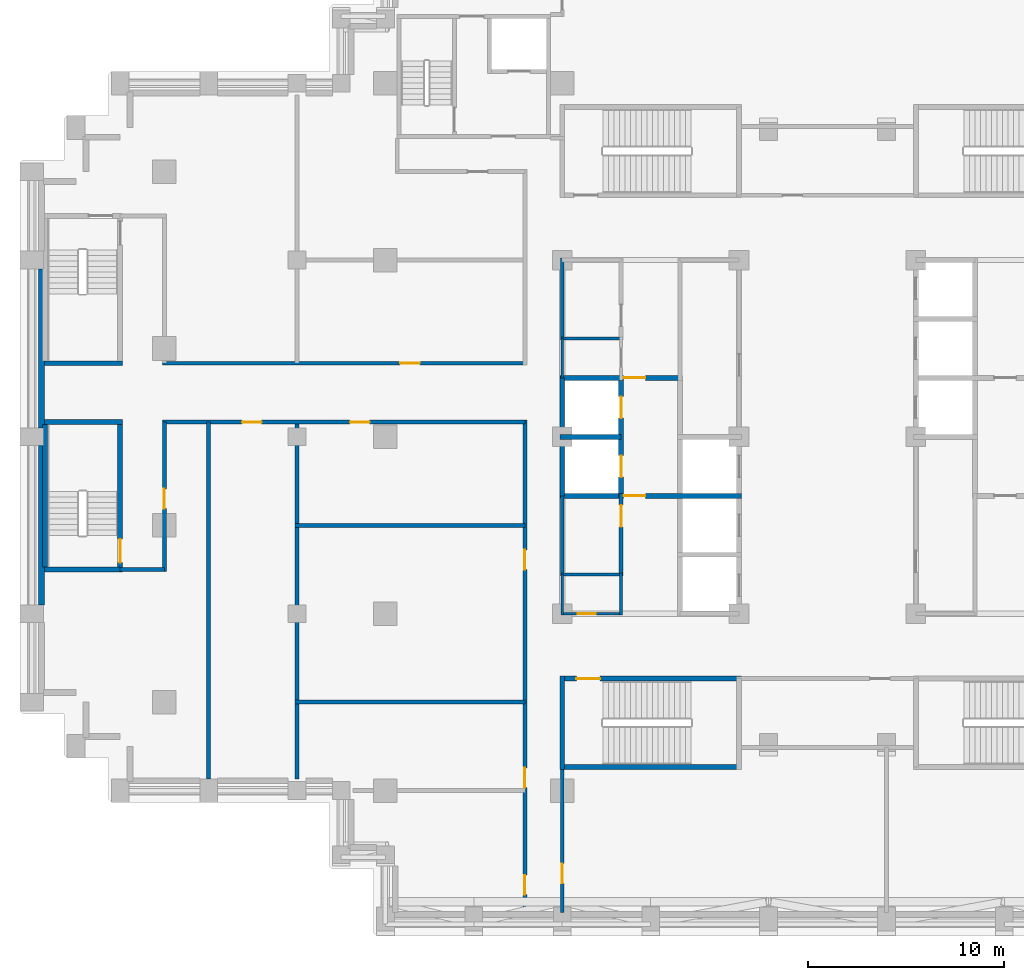
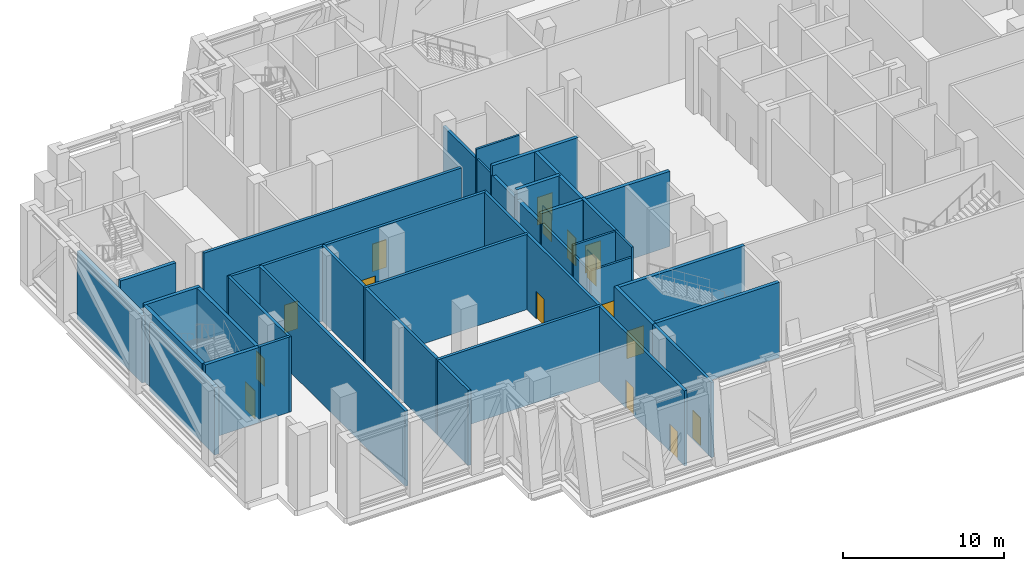
# One storey, part 5 of 14: 34 walls, 16 doors, 16 openings.
"""IFC4 building model written with IfcOpenShell, lengths in metres."""

from ifc_helpers import new_model, si_unit, direction, frame, frame_2d, origin, place, context, subcontext, project, spatial, rectangle, extrude, material, layer, layer_set, type_object, element, fill, save


model = new_model("IFC4")

# Units and contexts
model_context = context("Model", 3, precision=1e-05, world=origin(), true_north=direction((0.0, 1.0)))
body_context = subcontext(model_context, "Body", "Model", "MODEL_VIEW")
ifc_project = project(units=[si_unit("LENGTHUNIT", "METRE"), si_unit("AREAUNIT", "SQUARE_METRE"), si_unit("VOLUMEUNIT", "CUBIC_METRE"), si_unit("PLANEANGLEUNIT", "RADIAN"), si_unit("MASSUNIT", "GRAM", prefix="KILO")], contexts=[model_context])

# Site, building, storey
site_placement = place(None, origin())
site = spatial("IfcSite", under=ifc_project, at=site_placement, CompositionType="ELEMENT")
building_placement = place(site_placement, origin())
building = spatial("IfcBuilding", under=site, at=building_placement, Name="Corbelhall Arena Tower", CompositionType="ELEMENT")
storey_placement = place(building_placement, frame((0.0, 0.0, 120.0)))
storey = spatial("IfcBuildingStorey", under=building, at=storey_placement, Name="L22", CompositionType="ELEMENT", Elevation=120.0)

# Walls
ifc_material_1 = material(Name="Precast concrete C40/50 with granite facing", Category="masonry")
ifc_layer_1 = layer(ifc_material_1, 0.300048828125)
ifc_layer_set_1 = layer_set([ifc_layer_1], Name="EV-IW1 Infill panel 300")
wall_type_1 = type_object("IfcWallType", Name="EV-IW1 Infill panel 300", PredefinedType="SOLIDWALL", material=ifc_layer_set_1)
for number, where, z_axis, x_axis, name in (
    (1, (-40.0, 8.550048828125, 0.0), (0.0, 0.0, 1.0), (0.0, -1.0, 0.0), "Infill panel IW1"),
    (2, (-40.0, -0.449951171875, 0.0), (0.0, 0.0, 1.0), (0.0, -1.0, 0.0), "Infill panel IW1"),
):
    element("IfcWall", number, at=place(storey_placement, frame(where, z_axis=z_axis, x_axis=x_axis)), inside=storey, type_object=wall_type_1, Name=name, PredefinedType="SOLIDWALL", context=body_context, shape_type="SweptSolid", body=[
        extrude(rectangle(XDim=8.10009765625, YDim=0.300048828125, at=frame_2d((4.050048828125, 0.0))), origin(), (0.0, 0.0, 1.0), 5.10009765625),
    ])

# Wall, opening, door
ifc_material_2 = material(Name="Gypsum board on steel stud, acoustic", Category="steel")
ifc_layer_2 = layer(ifc_material_2, 0.199951171875)
ifc_layer_set_2 = layer_set([ifc_layer_2], Name="IN-W-DM200")
wall_type_2 = type_object("IfcWallType", Name="IN-W-DM200", PredefinedType="PARTITIONING", material=ifc_layer_set_2)
wall_1_placement = place(storey_placement, frame((-33.85009765625, 3.75, 0.0), z_axis=(0.0, 0.0, 1.0), x_axis=(1.0, 0.0, 0.0)))
wall_1 = element("IfcWall", 3, at=wall_1_placement, inside=storey, type_object=wall_type_2, Name="Partition 002", PredefinedType="PARTITIONING", context=body_context, shape_type="SweptSolid", body=[
    extrude(rectangle(XDim=18.4501953125, YDim=0.199951171875, at=frame_2d((9.22509765625, 0.0))), origin(), (0.0, 0.0, 1.0), 5.699951171875),
])
opening_1_placement = place(wall_1_placement, frame((12.10009765625, 0.0, 0.0)))
opening_1 = element("IfcOpeningElement", 4, at=opening_1_placement, cuts=wall_1, Name="Opening 26027", PredefinedType="OPENING", context=body_context, shape_type="SweptSolid", body=[
    extrude(rectangle(XDim=1.0, YDim=2.10009765625, at=frame_2d((0.5, 1.050048828125))), frame((0.0, 0.10009765625, 0.0), z_axis=(0.0, -1.0, 0.0), x_axis=(1.0, 0.0, 0.0)), (0.0, 0.0, 1.0), 0.199951171875),
])
ifc_material_3 = material(Name="Steel door set", Category="steel")
door_type_1 = type_object("IfcDoorType", Name="IN-D-SW100", OperationType="NOTDEFINED", PredefinedType="DOOR", material=ifc_material_3)
door_1_placement = place(opening_1_placement, origin())
door_1 = element("IfcDoor", 5, at=door_1_placement, inside=storey, type_object=door_type_1, Name="Door 027", OperationType="SINGLE_SWING_RIGHT", OverallHeight=2.10009765625, OverallWidth=1.0, PredefinedType="DOOR", context=body_context, shape_type="SweptSolid", body=[
    extrude(rectangle(XDim=1.0, YDim=2.10009765625, at=frame_2d((0.5, 1.050048828125))), frame((0.0, 0.02490234375, 0.0), z_axis=(0.0, -1.0, 0.0), x_axis=(1.0, 0.0, 0.0)), (0.0, 0.0, 1.0), 0.050048828125),
])
fill(opening_1, door_1)

# Wall
wall_2_placement = place(storey_placement, frame((-33.75, -6.75, 0.0), z_axis=(0.0, 0.0, 1.0), x_axis=(-1.0, 0.0, 0.0)))
element("IfcWall", 6, at=wall_2_placement, inside=storey, type_object=wall_type_2, Name="Partition 003", PredefinedType="PARTITIONING", context=body_context, shape_type="SweptSolid", body=[
    extrude(rectangle(XDim=2.25, YDim=0.199951171875, at=frame_2d((1.125, 0.0))), origin(), (0.0, 0.0, 1.0), 5.699951171875),
])

# Wall, opening, door
wall_3_placement = place(storey_placement, frame((-33.75, 0.75, 0.0), z_axis=(0.0, 0.0, 1.0), x_axis=(0.0, -1.0, 0.0)))
wall_3 = element("IfcWall", 7, at=wall_3_placement, inside=storey, type_object=wall_type_2, Name="Partition 004", PredefinedType="PARTITIONING", context=body_context, shape_type="SweptSolid", body=[
    extrude(rectangle(XDim=7.60009765625, YDim=0.199951171875, at=frame_2d((3.800048828125, 0.0))), origin(), (0.0, 0.0, 1.0), 5.699951171875),
])
opening_2_placement = place(wall_3_placement, frame((3.39990234375, 0.0, 0.0)))
opening_2 = element("IfcOpeningElement", 8, at=opening_2_placement, cuts=wall_3, Name="Opening 26040", PredefinedType="OPENING", context=body_context, shape_type="SweptSolid", body=[
    extrude(rectangle(XDim=1.0, YDim=2.10009765625, at=frame_2d((0.5, 1.050048828125))), frame((0.0, 0.10009765625, 0.0), z_axis=(0.0, -1.0, 0.0), x_axis=(1.0, 0.0, 0.0)), (0.0, 0.0, 1.0), 0.199951171875),
])
door_2_placement = place(opening_2_placement, origin())
door_2 = element("IfcDoor", 9, at=door_2_placement, inside=storey, type_object=door_type_1, Name="Door 040", OperationType="SINGLE_SWING_LEFT", OverallHeight=2.10009765625, OverallWidth=1.0, PredefinedType="DOOR", context=body_context, shape_type="SweptSolid", body=[
    extrude(rectangle(XDim=1.0, YDim=2.10009765625, at=frame_2d((0.5, 1.050048828125))), frame((0.0, 0.02490234375, 0.0), z_axis=(0.0, -1.0, 0.0), x_axis=(1.0, 0.0, 0.0)), (0.0, 0.0, 1.0), 0.050048828125),
])
fill(opening_2, door_2)

# Wall
wall_4_placement = place(storey_placement, frame((-31.5, 0.75, 0.0), z_axis=(0.0, 0.0, 1.0), x_axis=(0.0, -1.0, 0.0)))
element("IfcWall", 10, at=wall_4_placement, inside=storey, type_object=wall_type_2, Name="Partition 006", PredefinedType="PARTITIONING", context=body_context, shape_type="SweptSolid", body=[
    extrude(rectangle(XDim=18.14990234375, YDim=0.199951171875, at=frame_2d((9.074951171875, 0.0))), origin(), (0.0, 0.0, 1.0), 5.699951171875),
])

# Wall, openings, doors
wall_5_placement = place(storey_placement, frame((-15.39990234375, 0.75, 0.0), z_axis=(0.0, 0.0, 1.0), x_axis=(-1.0, 0.0, 0.0)))
wall_5 = element("IfcWall", 11, at=wall_5_placement, inside=storey, type_object=wall_type_2, Name="Partition 007", PredefinedType="PARTITIONING", context=body_context, shape_type="SweptSolid", body=[
    extrude(rectangle(XDim=18.4501953125, YDim=0.199951171875, at=frame_2d((9.22509765625, 0.0))), origin(), (0.0, 0.0, 1.0), 5.699951171875),
])
opening_3_placement = place(wall_5_placement, frame((7.89990234375, 0.0, 0.0)))
opening_3 = element("IfcOpeningElement", 12, at=opening_3_placement, cuts=wall_5, Name="Opening 26032", PredefinedType="OPENING", context=body_context, shape_type="SweptSolid", body=[
    extrude(rectangle(XDim=1.0, YDim=2.10009765625, at=frame_2d((0.5, 1.050048828125))), frame((0.0, 0.10009765625, 0.0), z_axis=(0.0, -1.0, 0.0), x_axis=(1.0, 0.0, 0.0)), (0.0, 0.0, 1.0), 0.199951171875),
])
opening_4_placement = place(wall_5_placement, frame((13.39990234375, 0.0, 0.0)))
opening_4 = element("IfcOpeningElement", 13, at=opening_4_placement, cuts=wall_5, Name="Opening 26041", PredefinedType="OPENING", context=body_context, shape_type="SweptSolid", body=[
    extrude(rectangle(XDim=1.0, YDim=2.10009765625, at=frame_2d((0.5, 1.050048828125))), frame((0.0, 0.10009765625, 0.0), z_axis=(0.0, -1.0, 0.0), x_axis=(1.0, 0.0, 0.0)), (0.0, 0.0, 1.0), 0.199951171875),
])
door_3_placement = place(opening_3_placement, origin())
door_3 = element("IfcDoor", 14, at=door_3_placement, inside=storey, type_object=door_type_1, Name="Door 032", OperationType="SINGLE_SWING_LEFT", OverallHeight=2.10009765625, OverallWidth=1.0, PredefinedType="DOOR", context=body_context, shape_type="SweptSolid", body=[
    extrude(rectangle(XDim=1.0, YDim=2.10009765625, at=frame_2d((0.5, 1.050048828125))), frame((0.0, 0.02490234375, 0.0), z_axis=(0.0, -1.0, 0.0), x_axis=(1.0, 0.0, 0.0)), (0.0, 0.0, 1.0), 0.050048828125),
])
fill(opening_3, door_3)
door_4_placement = place(opening_4_placement, origin())
door_4 = element("IfcDoor", 15, at=door_4_placement, inside=storey, type_object=door_type_1, Name="Door 041", OperationType="SINGLE_SWING_RIGHT", OverallHeight=2.10009765625, OverallWidth=1.0, PredefinedType="DOOR", context=body_context, shape_type="SweptSolid", body=[
    extrude(rectangle(XDim=1.0, YDim=2.10009765625, at=frame_2d((0.5, 1.050048828125))), frame((0.0, 0.02490234375, 0.0), z_axis=(0.0, -1.0, 0.0), x_axis=(1.0, 0.0, 0.0)), (0.0, 0.0, 1.0), 0.050048828125),
])
fill(opening_4, door_4)

# Walls
for number, where, z_axis, x_axis, name in (
    (16, (-27.10009765625, -13.5, 0.0), (0.0, 0.0, 1.0), (1.0, 0.0, 0.0), "Partition 008"),
    (17, (-27.10009765625, -4.5, 0.0), (0.0, 0.0, 1.0), (1.0, 0.0, 0.0), "Partition 009"),
):
    element("IfcWall", number, at=place(storey_placement, frame(where, z_axis=z_axis, x_axis=x_axis)), inside=storey, type_object=wall_type_2, Name=name, PredefinedType="PARTITIONING", context=body_context, shape_type="SweptSolid", body=[
        extrude(rectangle(XDim=11.7001953125, YDim=0.199951171875, at=frame_2d((5.85009765625, 0.0))), origin(), (0.0, 0.0, 1.0), 5.699951171875),
    ])
wall_6_placement = place(storey_placement, frame((-27.0, -17.39990234375, 0.0), z_axis=(0.0, 0.0, 1.0), x_axis=(0.0, 1.0, 0.0)))
element("IfcWall", 18, at=wall_6_placement, inside=storey, type_object=wall_type_2, Name="Partition 011", PredefinedType="PARTITIONING", context=body_context, shape_type="SweptSolid", body=[
    extrude(rectangle(XDim=18.14990234375, YDim=0.199951171875, at=frame_2d((9.074951171875, 0.0))), origin(), (0.0, 0.0, 1.0), 5.699951171875),
])

# Wall, openings, doors
wall_7_placement = place(storey_placement, frame((-15.39990234375, -24.14990234375, 0.0), z_axis=(0.0, 0.0, 1.0), x_axis=(0.0, 1.0, 0.0)))
wall_7 = element("IfcWall", 19, at=wall_7_placement, inside=storey, type_object=wall_type_2, Name="Partition 015", PredefinedType="PARTITIONING", context=body_context, shape_type="SweptSolid", body=[
    extrude(rectangle(XDim=25.0, YDim=0.199951171875, at=frame_2d((12.5, 0.0))), origin(), (0.0, 0.0, 1.0), 5.699951171875),
])
opening_5_placement = place(wall_7_placement, frame((0.85009765625, 0.0, 0.0)))
opening_5 = element("IfcOpeningElement", 20, at=opening_5_placement, cuts=wall_7, Name="Opening 26029", PredefinedType="OPENING", context=body_context, shape_type="SweptSolid", body=[
    extrude(rectangle(XDim=1.0, YDim=2.10009765625, at=frame_2d((0.5, 1.050048828125))), frame((0.0, 0.10009765625, 0.0), z_axis=(0.0, -1.0, 0.0), x_axis=(1.0, 0.0, 0.0)), (0.0, 0.0, 1.0), 0.199951171875),
])
opening_6_placement = place(wall_7_placement, frame((6.300048828125, 0.0, 0.0)))
opening_6 = element("IfcOpeningElement", 21, at=opening_6_placement, cuts=wall_7, Name="Opening 26030", PredefinedType="OPENING", context=body_context, shape_type="SweptSolid", body=[
    extrude(rectangle(XDim=1.0, YDim=2.10009765625, at=frame_2d((0.5, 1.050048828125))), frame((0.0, 0.10009765625, 0.0), z_axis=(0.0, -1.0, 0.0), x_axis=(1.0, 0.0, 0.0)), (0.0, 0.0, 1.0), 0.199951171875),
])
opening_7_placement = place(wall_7_placement, frame((17.39990234375, 0.0, 0.0)))
opening_7 = element("IfcOpeningElement", 22, at=opening_7_placement, cuts=wall_7, Name="Opening 26031", PredefinedType="OPENING", context=body_context, shape_type="SweptSolid", body=[
    extrude(rectangle(XDim=1.0, YDim=2.10009765625, at=frame_2d((0.5, 1.050048828125))), frame((0.0, 0.10009765625, 0.0), z_axis=(0.0, -1.0, 0.0), x_axis=(1.0, 0.0, 0.0)), (0.0, 0.0, 1.0), 0.199951171875),
])
door_5_placement = place(opening_5_placement, origin())
door_5 = element("IfcDoor", 23, at=door_5_placement, inside=storey, type_object=door_type_1, Name="Door 029", OperationType="SINGLE_SWING_RIGHT", OverallHeight=2.10009765625, OverallWidth=1.0, PredefinedType="DOOR", context=body_context, shape_type="SweptSolid", body=[
    extrude(rectangle(XDim=1.0, YDim=2.10009765625, at=frame_2d((0.5, 1.050048828125))), frame((0.0, 0.02490234375, 0.0), z_axis=(0.0, -1.0, 0.0), x_axis=(1.0, 0.0, 0.0)), (0.0, 0.0, 1.0), 0.050048828125),
])
fill(opening_5, door_5)
door_6_placement = place(opening_6_placement, origin())
door_6 = element("IfcDoor", 24, at=door_6_placement, inside=storey, type_object=door_type_1, Name="Door 030", OperationType="SINGLE_SWING_LEFT", OverallHeight=2.10009765625, OverallWidth=1.0, PredefinedType="DOOR", context=body_context, shape_type="SweptSolid", body=[
    extrude(rectangle(XDim=1.0, YDim=2.10009765625, at=frame_2d((0.5, 1.050048828125))), frame((0.0, 0.02490234375, 0.0), z_axis=(0.0, -1.0, 0.0), x_axis=(1.0, 0.0, 0.0)), (0.0, 0.0, 1.0), 0.050048828125),
])
fill(opening_6, door_6)
door_7_placement = place(opening_7_placement, origin())
door_7 = element("IfcDoor", 25, at=door_7_placement, inside=storey, type_object=door_type_1, Name="Door 031", OperationType="SINGLE_SWING_RIGHT", OverallHeight=2.10009765625, OverallWidth=1.0, PredefinedType="DOOR", context=body_context, shape_type="SweptSolid", body=[
    extrude(rectangle(XDim=1.0, YDim=2.10009765625, at=frame_2d((0.5, 1.050048828125))), frame((0.0, 0.02490234375, 0.0), z_axis=(0.0, -1.0, 0.0), x_axis=(1.0, 0.0, 0.0)), (0.0, 0.0, 1.0), 0.050048828125),
])
fill(opening_7, door_7)

# Wall, opening, door
wall_8_placement = place(storey_placement, frame((-13.5, -16.675048828125, 0.0), z_axis=(0.0, 0.0, 1.0), x_axis=(0.0, -1.0, 0.0)))
wall_8 = element("IfcWall", 26, at=wall_8_placement, inside=storey, type_object=wall_type_2, Name="Partition 019", PredefinedType="PARTITIONING", context=body_context, shape_type="SweptSolid", body=[
    extrude(rectangle(XDim=7.52490234375, YDim=0.199951171875, at=frame_2d((3.762451171875, 0.0))), origin(), (0.0, 0.0, 1.0), 5.699951171875),
])
opening_8_placement = place(wall_8_placement, frame((5.050048828125, 0.0, 0.0)))
opening_8 = element("IfcOpeningElement", 27, at=opening_8_placement, cuts=wall_8, Name="Opening 26025", PredefinedType="OPENING", context=body_context, shape_type="SweptSolid", body=[
    extrude(rectangle(XDim=1.0, YDim=2.10009765625, at=frame_2d((0.5, 1.050048828125))), frame((0.0, 0.10009765625, 0.0), z_axis=(0.0, -1.0, 0.0), x_axis=(1.0, 0.0, 0.0)), (0.0, 0.0, 1.0), 0.199951171875),
])
door_8_placement = place(opening_8_placement, origin())
door_8 = element("IfcDoor", 28, at=door_8_placement, inside=storey, type_object=door_type_1, Name="Door 025", OperationType="SINGLE_SWING_RIGHT", OverallHeight=2.10009765625, OverallWidth=1.0, PredefinedType="DOOR", context=body_context, shape_type="SweptSolid", body=[
    extrude(rectangle(XDim=1.0, YDim=2.10009765625, at=frame_2d((0.5, 1.050048828125))), frame((0.0, 0.02490234375, 0.0), z_axis=(0.0, -1.0, 0.0), x_axis=(1.0, 0.0, 0.0)), (0.0, 0.0, 1.0), 0.050048828125),
])
fill(opening_8, door_8)

ifc_material_4 = material(Name="Concrete block wall", Category="concrete")
ifc_layer_3 = layer(ifc_material_4, 0.199951171875)
ifc_layer_set_3 = layer_set([ifc_layer_3], Name="IN-W-RS200")
wall_type_3 = type_object("IfcWallType", Name="IN-W-RS200", PredefinedType="SOLIDWALL", material=ifc_layer_set_3)
wall_9_placement = place(storey_placement, frame((-10.5, -7.074951171875, 0.0), z_axis=(0.0, 0.0, 1.0), x_axis=(0.0, 1.0, 0.0)))
wall_9 = element("IfcWall", 29, at=wall_9_placement, inside=storey, type_object=wall_type_3, Name="Partition 045", PredefinedType="SOLIDWALL", context=body_context, shape_type="SweptSolid", body=[
    extrude(rectangle(XDim=4.199951171875, YDim=0.199951171875, at=frame_2d((2.10009765625, 0.0))), origin(), (0.0, 0.0, 1.0), 5.699951171875),
])
opening_9_placement = place(wall_9_placement, frame((2.5, 0.0, 0.0)))
opening_9 = element("IfcOpeningElement", 30, at=opening_9_placement, cuts=wall_9, Name="Opening 26005", PredefinedType="OPENING", context=body_context, shape_type="SweptSolid", body=[
    extrude(rectangle(XDim=1.10009765625, YDim=2.10009765625, at=frame_2d((0.550048828125, 1.050048828125))), frame((0.0, 0.10009765625, 0.0), z_axis=(0.0, -1.0, 0.0), x_axis=(1.0, 0.0, 0.0)), (0.0, 0.0, 1.0), 0.199951171875),
])
door_type_2 = type_object("IfcDoorType", Name="IN-D-FD110", OperationType="NOTDEFINED", PredefinedType="DOOR", material=ifc_material_3)
door_9_placement = place(opening_9_placement, origin())
door_9 = element("IfcDoor", 31, at=door_9_placement, inside=storey, type_object=door_type_2, Name="Door 005", OperationType="SINGLE_SWING_RIGHT", OverallHeight=2.10009765625, OverallWidth=1.10009765625, PredefinedType="DOOR", context=body_context, shape_type="SweptSolid", body=[
    extrude(rectangle(XDim=1.10009765625, YDim=2.10009765625, at=frame_2d((0.550048828125, 1.050048828125))), frame((0.0, 0.02490234375, 0.0), z_axis=(0.0, -1.0, 0.0), x_axis=(1.0, 0.0, 0.0)), (0.0, 0.0, 1.0), 0.050048828125),
])
fill(opening_9, door_9)

# Walls
ifc_layer_4 = layer(ifc_material_4, 0.199951171875)
ifc_layer_set_4 = layer_set([ifc_layer_4], Name="IN-W-RS200 under beam 762 mm")
wall_type_4 = type_object("IfcWallType", Name="IN-W-RS200 under beam 762 mm", PredefinedType="SOLIDWALL", material=ifc_layer_set_4)
wall_10_placement = place(storey_placement, frame((-13.5, -7.0, 0.0), z_axis=(0.0, 0.0, 1.0), x_axis=(0.0, 1.0, 0.0)))
element("IfcWall", 32, at=wall_10_placement, inside=storey, type_object=wall_type_4, Name="Partition 042", PredefinedType="SOLIDWALL", context=body_context, shape_type="SweptSolid", body=[
    extrude(rectangle(XDim=4.0, YDim=0.199951171875, at=frame_2d((2.0, 0.0))), origin(), (0.0, 0.0, 1.0), 4.93798828125),
])
wall_11_placement = place(storey_placement, frame((-13.5, 5.0, 0.0), z_axis=(0.0, 0.0, 1.0), x_axis=(0.0, 1.0, 0.0)))
element("IfcWall", 33, at=wall_11_placement, inside=storey, type_object=wall_type_4, Name="Partition 043", PredefinedType="SOLIDWALL", context=body_context, shape_type="SweptSolid", body=[
    extrude(rectangle(XDim=4.10009765625, YDim=0.199951171875, at=frame_2d((2.050048828125, 0.0))), origin(), (0.0, 0.0, 1.0), 4.93798828125),
])
ifc_material_5 = material(Name="Concrete C40/50", Category="concrete")
ifc_layer_5 = layer(ifc_material_5, 0.25)
ifc_layer_set_5 = layer_set([ifc_layer_5], Name="IN-W-SH250")
wall_type_5 = type_object("IfcWallType", Name="IN-W-SH250", PredefinedType="SOLIDWALL", material=ifc_layer_set_5)
wall_12_placement = place(storey_placement, frame((-13.625, 0.0, 0.0), z_axis=(0.0, 0.0, 1.0), x_axis=(1.0, 0.0, 0.0)))
element("IfcWall", 34, at=wall_12_placement, inside=storey, type_object=wall_type_5, Name="Shaft wall 058", PredefinedType="SOLIDWALL", context=body_context, shape_type="SweptSolid", body=[
    extrude(rectangle(XDim=3.125, YDim=0.25, at=frame_2d((1.5625, 0.0))), origin(), (0.0, 0.0, 1.0), 5.699951171875),
])

# Wall, opening, door
wall_13_placement = place(storey_placement, frame((-13.625, 3.0, 0.0), z_axis=(0.0, 0.0, 1.0), x_axis=(1.0, 0.0, 0.0)))
wall_13 = element("IfcWall", 35, at=wall_13_placement, inside=storey, type_object=wall_type_5, Name="Shaft wall 059", PredefinedType="SOLIDWALL", context=body_context, shape_type="SweptSolid", body=[
    extrude(rectangle(XDim=6.125, YDim=0.25, at=frame_2d((3.0625, 0.0))), origin(), (0.0, 0.0, 1.0), 5.699951171875),
])
opening_10_placement = place(wall_13_placement, frame((3.25, 0.0, 0.0)))
opening_10 = element("IfcOpeningElement", 36, at=opening_10_placement, cuts=wall_13, Name="Opening 26003", PredefinedType="OPENING", context=body_context, shape_type="SweptSolid", body=[
    extrude(rectangle(XDim=1.10009765625, YDim=2.10009765625, at=frame_2d((0.550048828125, 1.050048828125))), frame((0.0, 0.125, 0.0), z_axis=(0.0, -1.0, 0.0), x_axis=(1.0, 0.0, 0.0)), (0.0, 0.0, 1.0), 0.25),
])
door_10_placement = place(opening_10_placement, origin())
door_10 = element("IfcDoor", 37, at=door_10_placement, inside=storey, type_object=door_type_2, Name="Door 003", OperationType="SINGLE_SWING_RIGHT", OverallHeight=2.10009765625, OverallWidth=1.10009765625, PredefinedType="DOOR", context=body_context, shape_type="SweptSolid", body=[
    extrude(rectangle(XDim=1.10009765625, YDim=2.10009765625, at=frame_2d((0.550048828125, 1.050048828125))), frame((0.0, 0.02490234375, 0.0), z_axis=(0.0, -1.0, 0.0), x_axis=(1.0, 0.0, 0.0)), (0.0, 0.0, 1.0), 0.050048828125),
])
fill(opening_10, door_10)

wall_14_placement = place(storey_placement, frame((-13.625, -3.0, 0.0), z_axis=(0.0, 0.0, 1.0), x_axis=(1.0, 0.0, 0.0)))
wall_14 = element("IfcWall", 38, at=wall_14_placement, inside=storey, type_object=wall_type_5, Name="Shaft wall 061", PredefinedType="SOLIDWALL", context=body_context, shape_type="SweptSolid", body=[
    extrude(rectangle(XDim=9.25, YDim=0.25, at=frame_2d((4.625, 0.0))), origin(), (0.0, 0.0, 1.0), 5.699951171875),
])
opening_11_placement = place(wall_14_placement, frame((3.25, 0.0, 0.0)))
opening_11 = element("IfcOpeningElement", 39, at=opening_11_placement, cuts=wall_14, Name="Opening 26002", PredefinedType="OPENING", context=body_context, shape_type="SweptSolid", body=[
    extrude(rectangle(XDim=1.10009765625, YDim=2.10009765625, at=frame_2d((0.550048828125, 1.050048828125))), frame((0.0, 0.125, 0.0), z_axis=(0.0, -1.0, 0.0), x_axis=(1.0, 0.0, 0.0)), (0.0, 0.0, 1.0), 0.25),
])
door_11_placement = place(opening_11_placement, origin())
door_11 = element("IfcDoor", 40, at=door_11_placement, inside=storey, type_object=door_type_2, Name="Door 002", OperationType="SINGLE_SWING_LEFT", OverallHeight=2.10009765625, OverallWidth=1.10009765625, PredefinedType="DOOR", context=body_context, shape_type="SweptSolid", body=[
    extrude(rectangle(XDim=1.10009765625, YDim=2.10009765625, at=frame_2d((0.550048828125, 1.050048828125))), frame((0.0, 0.02490234375, 0.0), z_axis=(0.0, -1.0, 0.0), x_axis=(1.0, 0.0, 0.0)), (0.0, 0.0, 1.0), 0.050048828125),
])
fill(opening_11, door_11)

# Wall, openings, doors
wall_15_placement = place(storey_placement, frame((-10.5, -3.125, 0.0), z_axis=(0.0, 0.0, 1.0), x_axis=(0.0, 1.0, 0.0)))
wall_15 = element("IfcWall", 41, at=wall_15_placement, inside=storey, type_object=wall_type_5, Name="Shaft wall 062", PredefinedType="SOLIDWALL", context=body_context, shape_type="SweptSolid", body=[
    extrude(rectangle(XDim=6.25, YDim=0.25, at=frame_2d((3.125, 0.0))), origin(), (0.0, 0.0, 1.0), 5.699951171875),
])
opening_12_placement = place(wall_15_placement, frame((1.074951171875, 0.0, 0.0)))
opening_12 = element("IfcOpeningElement", 42, at=opening_12_placement, cuts=wall_15, Name="Opening LD", PredefinedType="OPENING", context=body_context, shape_type="SweptSolid", body=[
    extrude(rectangle(XDim=1.10009765625, YDim=2.10009765625, at=frame_2d((0.550048828125, 1.050048828125))), frame((0.0, 0.125, 0.0), z_axis=(0.0, -1.0, 0.0), x_axis=(1.0, 0.0, 0.0)), (0.0, 0.0, 1.0), 0.25),
])
opening_13_placement = place(wall_15_placement, frame((4.074951171875, 0.0, 0.0)))
opening_13 = element("IfcOpeningElement", 43, at=opening_13_placement, cuts=wall_15, Name="Opening LD", PredefinedType="OPENING", context=body_context, shape_type="SweptSolid", body=[
    extrude(rectangle(XDim=1.10009765625, YDim=2.10009765625, at=frame_2d((0.550048828125, 1.050048828125))), frame((0.0, 0.125, 0.0), z_axis=(0.0, -1.0, 0.0), x_axis=(1.0, 0.0, 0.0)), (0.0, 0.0, 1.0), 0.25),
])
door_type_3 = type_object("IfcDoorType", Name="IN-D-LD110", OperationType="NOTDEFINED", PredefinedType="DOOR", material=ifc_material_3)
door_12_placement = place(opening_12_placement, origin())
door_12 = element("IfcDoor", 44, at=door_12_placement, inside=storey, type_object=door_type_3, Name="Landing door W3", OperationType="SLIDING_TO_LEFT", OverallHeight=2.10009765625, OverallWidth=1.10009765625, PredefinedType="DOOR", context=body_context, shape_type="SweptSolid", body=[
    extrude(rectangle(XDim=1.10009765625, YDim=2.10009765625, at=frame_2d((0.550048828125, 1.050048828125))), frame((0.0, 0.02490234375, 0.0), z_axis=(0.0, -1.0, 0.0), x_axis=(1.0, 0.0, 0.0)), (0.0, 0.0, 1.0), 0.050048828125),
])
fill(opening_12, door_12)
door_13_placement = place(opening_13_placement, origin())
door_13 = element("IfcDoor", 45, at=door_13_placement, inside=storey, type_object=door_type_3, Name="Landing door W4", OperationType="SLIDING_TO_LEFT", OverallHeight=2.10009765625, OverallWidth=1.10009765625, PredefinedType="DOOR", context=body_context, shape_type="SweptSolid", body=[
    extrude(rectangle(XDim=1.10009765625, YDim=2.10009765625, at=frame_2d((0.550048828125, 1.050048828125))), frame((0.0, 0.02490234375, 0.0), z_axis=(0.0, -1.0, 0.0), x_axis=(1.0, 0.0, 0.0)), (0.0, 0.0, 1.0), 0.050048828125),
])
fill(opening_13, door_13)

# Walls
ifc_layer_6 = layer(ifc_material_5, 0.25)
ifc_layer_set_6 = layer_set([ifc_layer_6], Name="IN-W-SH250 under beam 762 mm")
wall_type_6 = type_object("IfcWallType", Name="IN-W-SH250 under beam 762 mm", PredefinedType="SOLIDWALL", material=ifc_layer_set_6)
wall_16_placement = place(storey_placement, frame((-13.5, -3.0, 0.0), z_axis=(0.0, 0.0, 1.0), x_axis=(0.0, 1.0, 0.0)))
element("IfcWall", 46, at=wall_16_placement, inside=storey, type_object=wall_type_6, Name="Shaft wall 060", PredefinedType="SOLIDWALL", context=body_context, shape_type="SweptSolid", body=[
    extrude(rectangle(XDim=6.0, YDim=0.25, at=frame_2d((3.0, 0.0))), origin(), (0.0, 0.0, 1.0), 4.93798828125),
])
ifc_layer_7 = layer(ifc_material_5, 0.25)
ifc_layer_set_7 = layer_set([ifc_layer_7], Name="IN-W-ST250")
wall_type_7 = type_object("IfcWallType", Name="IN-W-ST250", PredefinedType="SOLIDWALL", material=ifc_layer_set_7)
wall_17_placement = place(storey_placement, frame((-39.85009765625, 3.75, 0.0), z_axis=(0.0, 0.0, 1.0), x_axis=(1.0, 0.0, 0.0)))
element("IfcWall", 47, at=wall_17_placement, inside=storey, type_object=wall_type_7, Name="Shaft wall 079", PredefinedType="SOLIDWALL", context=body_context, shape_type="SweptSolid", body=[
    extrude(rectangle(XDim=3.97509765625, YDim=0.25, at=frame_2d((1.987548828125, 0.0))), origin(), (0.0, 0.0, 1.0), 5.699951171875),
])
wall_18_placement = place(storey_placement, frame((-36.0, -6.75, 0.0), z_axis=(0.0, 0.0, 1.0), x_axis=(-1.0, 0.0, 0.0)))
element("IfcWall", 48, at=wall_18_placement, inside=storey, type_object=wall_type_7, Name="Shaft wall 081", PredefinedType="SOLIDWALL", context=body_context, shape_type="SweptSolid", body=[
    extrude(rectangle(XDim=3.85009765625, YDim=0.25, at=frame_2d((1.925048828125, 0.0))), origin(), (0.0, 0.0, 1.0), 5.699951171875),
])

# Wall, opening, door
wall_19_placement = place(storey_placement, frame((-36.0, 0.75, 0.0), z_axis=(0.0, 0.0, 1.0), x_axis=(0.0, -1.0, 0.0)))
wall_19 = element("IfcWall", 49, at=wall_19_placement, inside=storey, type_object=wall_type_7, Name="Shaft wall 082", PredefinedType="SOLIDWALL", context=body_context, shape_type="SweptSolid", body=[
    extrude(rectangle(XDim=7.625, YDim=0.25, at=frame_2d((3.8125, 0.0))), origin(), (0.0, 0.0, 1.0), 5.699951171875),
])
opening_14_placement = place(wall_19_placement, frame((5.949951171875, 0.0, 0.0)))
opening_14 = element("IfcOpeningElement", 50, at=opening_14_placement, cuts=wall_19, Name="Opening 26019", PredefinedType="OPENING", context=body_context, shape_type="SweptSolid", body=[
    extrude(rectangle(XDim=1.199951171875, YDim=2.10009765625, at=frame_2d((0.60009765625, 1.050048828125))), frame((0.0, 0.125, 0.0), z_axis=(0.0, -1.0, 0.0), x_axis=(1.0, 0.0, 0.0)), (0.0, 0.0, 1.0), 0.25),
])
door_type_4 = type_object("IfcDoorType", Name="IN-D-ST120", OperationType="NOTDEFINED", PredefinedType="DOOR", material=ifc_material_3)
door_14_placement = place(opening_14_placement, origin())
door_14 = element("IfcDoor", 51, at=door_14_placement, inside=storey, type_object=door_type_4, Name="Door 019", OperationType="SINGLE_SWING_RIGHT", OverallHeight=2.10009765625, OverallWidth=1.199951171875, PredefinedType="DOOR", context=body_context, shape_type="SweptSolid", body=[
    extrude(rectangle(XDim=1.199951171875, YDim=2.10009765625, at=frame_2d((0.60009765625, 1.050048828125))), frame((0.0, 0.02490234375, 0.0), z_axis=(0.0, -1.0, 0.0), x_axis=(1.0, 0.0, 0.0)), (0.0, 0.0, 1.0), 0.050048828125),
])
fill(opening_14, door_14)

# Walls
wall_20_placement = place(storey_placement, frame((-35.875, 0.75, 0.0), z_axis=(0.0, 0.0, 1.0), x_axis=(-1.0, 0.0, 0.0)))
element("IfcWall", 52, at=wall_20_placement, inside=storey, type_object=wall_type_7, Name="Shaft wall 084", PredefinedType="SOLIDWALL", context=body_context, shape_type="SweptSolid", body=[
    extrude(rectangle(XDim=3.97509765625, YDim=0.25, at=frame_2d((1.987548828125, 0.0))), origin(), (0.0, 0.0, 1.0), 5.699951171875),
])
wall_21_placement = place(storey_placement, frame((-13.5, -12.175048828125, 0.0), z_axis=(0.0, 0.0, 1.0), x_axis=(0.0, -1.0, 0.0)))
element("IfcWall", 53, at=wall_21_placement, inside=storey, type_object=wall_type_7, Name="Shaft wall 085", PredefinedType="SOLIDWALL", context=body_context, shape_type="SweptSolid", body=[
    extrude(rectangle(XDim=4.75, YDim=0.25, at=frame_2d((2.375, 0.0))), origin(), (0.0, 0.0, 1.0), 5.699951171875),
])
wall_22_placement = place(storey_placement, frame((-4.5, -16.800048828125, 0.0), z_axis=(0.0, 0.0, 1.0), x_axis=(-1.0, 0.0, 0.0)))
element("IfcWall", 54, at=wall_22_placement, inside=storey, type_object=wall_type_7, Name="Shaft wall 089", PredefinedType="SOLIDWALL", context=body_context, shape_type="SweptSolid", body=[
    extrude(rectangle(XDim=9.0, YDim=0.25, at=frame_2d((4.5, 0.0))), origin(), (0.0, 0.0, 1.0), 5.699951171875),
])

# Wall, opening, door
wall_23_placement = place(storey_placement, frame((-4.375, -12.300048828125, 0.0), z_axis=(0.0, 0.0, 1.0), x_axis=(-1.0, 0.0, 0.0)))
wall_23 = element("IfcWall", 55, at=wall_23_placement, inside=storey, type_object=wall_type_7, Name="Shaft wall 092", PredefinedType="SOLIDWALL", context=body_context, shape_type="SweptSolid", body=[
    extrude(rectangle(XDim=9.125, YDim=0.25, at=frame_2d((4.5625, 0.0))), origin(), (0.0, 0.0, 1.0), 5.699951171875),
])
opening_15_placement = place(wall_23_placement, frame((7.199951171875, 0.0, 0.0)))
opening_15 = element("IfcOpeningElement", 56, at=opening_15_placement, cuts=wall_23, Name="Opening 26015", PredefinedType="OPENING", context=body_context, shape_type="SweptSolid", body=[
    extrude(rectangle(XDim=1.199951171875, YDim=2.10009765625, at=frame_2d((0.60009765625, 1.050048828125))), frame((0.0, 0.125, 0.0), z_axis=(0.0, -1.0, 0.0), x_axis=(1.0, 0.0, 0.0)), (0.0, 0.0, 1.0), 0.25),
])
door_15_placement = place(opening_15_placement, origin())
door_15 = element("IfcDoor", 57, at=door_15_placement, inside=storey, type_object=door_type_4, Name="Door 015", OperationType="SINGLE_SWING_RIGHT", OverallHeight=2.10009765625, OverallWidth=1.199951171875, PredefinedType="DOOR", context=body_context, shape_type="SweptSolid", body=[
    extrude(rectangle(XDim=1.199951171875, YDim=2.10009765625, at=frame_2d((0.60009765625, 1.050048828125))), frame((0.0, 0.02490234375, 0.0), z_axis=(0.0, -1.0, 0.0), x_axis=(1.0, 0.0, 0.0)), (0.0, 0.0, 1.0), 0.050048828125),
])
fill(opening_15, door_15)

# Walls
wall_24_placement = place(storey_placement, frame((-39.824951171875, -6.625, 0.0), z_axis=(0.0, 0.0, 1.0), x_axis=(0.0, 1.0, 0.0)))
element("IfcWall", 58, at=wall_24_placement, inside=storey, type_object=wall_type_7, Name="Shaft wall SC2 facade side", PredefinedType="SOLIDWALL", context=body_context, shape_type="SweptSolid", body=[
    extrude(rectangle(XDim=7.25, YDim=0.25, at=frame_2d((3.625, 0.0))), origin(), (0.0, 0.0, 1.0), 5.699951171875),
])
ifc_material_6 = material(Name="Gypsum board on steel stud, moisture resistant", Category="steel")
ifc_layer_8 = layer(ifc_material_6, 0.14990234375)
ifc_layer_set_8 = layer_set([ifc_layer_8], Name="IN-W-WC150")
wall_type_8 = type_object("IfcWallType", Name="IN-W-WC150", PredefinedType="PARTITIONING", material=ifc_layer_set_8)
for number, where, z_axis, x_axis, name in (
    (59, (-13.60009765625, -7.0, 0.0), (0.0, 0.0, 1.0), (1.0, 0.0, 0.0), "Partition 106"),
    (60, (-13.60009765625, 5.0, 0.0), (0.0, 0.0, 1.0), (1.0, 0.0, 0.0), "Partition 107"),
):
    element("IfcWall", number, at=place(storey_placement, frame(where, z_axis=z_axis, x_axis=x_axis)), inside=storey, type_object=wall_type_8, Name=name, PredefinedType="PARTITIONING", context=body_context, shape_type="SweptSolid", body=[
        extrude(rectangle(XDim=3.10009765625, YDim=0.14990234375, at=frame_2d((1.550048828125, 0.0))), origin(), (0.0, 0.0, 1.0), 5.699951171875),
    ])
wall_25_placement = place(storey_placement, frame((-10.5, -9.074951171875, 0.0), z_axis=(0.0, 0.0, 1.0), x_axis=(0.0, 1.0, 0.0)))
element("IfcWall", 61, at=wall_25_placement, inside=storey, type_object=wall_type_8, Name="Partition 110", PredefinedType="PARTITIONING", context=body_context, shape_type="SweptSolid", body=[
    extrude(rectangle(XDim=2.14990234375, YDim=0.14990234375, at=frame_2d((1.074951171875, 0.0))), origin(), (0.0, 0.0, 1.0), 5.699951171875),
])
ifc_layer_9 = layer(ifc_material_6, 0.14990234375)
ifc_layer_set_9 = layer_set([ifc_layer_9], Name="IN-W-WC150 under beam 762 mm")
wall_type_9 = type_object("IfcWallType", Name="IN-W-WC150 under beam 762 mm", PredefinedType="PARTITIONING", material=ifc_layer_set_9)
wall_26_placement = place(storey_placement, frame((-13.5, -9.074951171875, 0.0), z_axis=(0.0, 0.0, 1.0), x_axis=(0.0, 1.0, 0.0)))
element("IfcWall", 62, at=wall_26_placement, inside=storey, type_object=wall_type_9, Name="Partition 108", PredefinedType="PARTITIONING", context=body_context, shape_type="SweptSolid", body=[
    extrude(rectangle(XDim=2.074951171875, YDim=0.14990234375, at=frame_2d((1.03759765625, 0.0))), origin(), (0.0, 0.0, 1.0), 4.93798828125),
])
wall_27_placement = place(storey_placement, frame((-13.5, 3.0, 0.0), z_axis=(0.0, 0.0, 1.0), x_axis=(0.0, 1.0, 0.0)))
element("IfcWall", 63, at=wall_27_placement, inside=storey, type_object=wall_type_9, Name="Partition 109", PredefinedType="PARTITIONING", context=body_context, shape_type="SweptSolid", body=[
    extrude(rectangle(XDim=2.0, YDim=0.14990234375, at=frame_2d((1.0, 0.0))), origin(), (0.0, 0.0, 1.0), 4.93798828125),
])

# Wall, opening, door
wall_28_placement = place(storey_placement, frame((-10.5, -9.0, 0.0), z_axis=(0.0, 0.0, 1.0), x_axis=(-1.0, 0.0, 0.0)))
wall_28 = element("IfcWall", 64, at=wall_28_placement, inside=storey, type_object=wall_type_9, Name="Partition 111", PredefinedType="PARTITIONING", context=body_context, shape_type="SweptSolid", body=[
    extrude(rectangle(XDim=3.0, YDim=0.14990234375, at=frame_2d((1.5, 0.0))), origin(), (0.0, 0.0, 1.0), 4.93798828125),
])
opening_16_placement = place(wall_28_placement, frame((1.300048828125, 0.0, 0.0)))
opening_16 = element("IfcOpeningElement", 65, at=opening_16_placement, cuts=wall_28, Name="Opening 26004", PredefinedType="OPENING", context=body_context, shape_type="SweptSolid", body=[
    extrude(rectangle(XDim=0.89990234375, YDim=2.10009765625, at=frame_2d((0.449951171875, 1.050048828125))), frame((0.0, 0.074951171875, 0.0), z_axis=(0.0, -1.0, 0.0), x_axis=(1.0, 0.0, 0.0)), (0.0, 0.0, 1.0), 0.14990234375),
])
ifc_material_7 = material(Name="Timber door set", Category="wood")
door_type_5 = type_object("IfcDoorType", Name="IN-D-SW90", OperationType="NOTDEFINED", PredefinedType="DOOR", material=ifc_material_7)
door_16_placement = place(opening_16_placement, origin())
door_16 = element("IfcDoor", 66, at=door_16_placement, inside=storey, type_object=door_type_5, Name="Door 004", OperationType="SINGLE_SWING_LEFT", OverallHeight=2.10009765625, OverallWidth=0.89990234375, PredefinedType="DOOR", context=body_context, shape_type="SweptSolid", body=[
    extrude(rectangle(XDim=0.89990234375, YDim=2.10009765625, at=frame_2d((0.449951171875, 1.050048828125))), frame((0.0, 0.02490234375, 0.0), z_axis=(0.0, -1.0, 0.0), x_axis=(1.0, 0.0, 0.0)), (0.0, 0.0, 1.0), 0.050048828125),
])
fill(opening_16, door_16)

save(model, "model.ifc")
